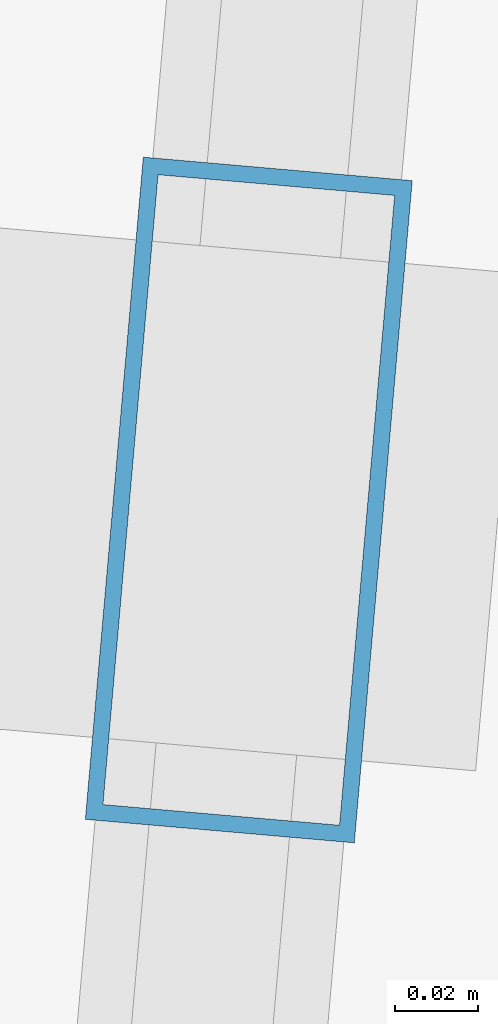
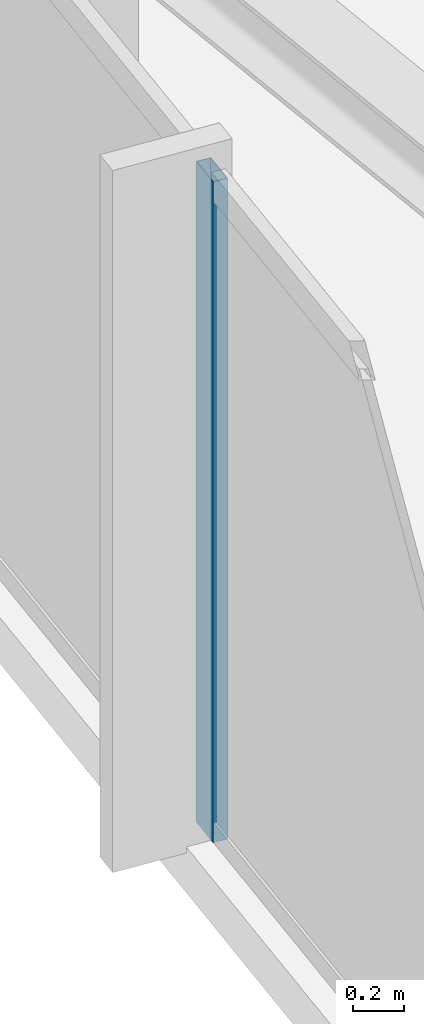
# One storey, part 5 of 33: 1 member, 1 element without a shape of its own.
"""IFC4 building model written with IfcOpenShell, lengths in metres."""

from ifc_helpers import new_model, si_unit, direction, frame, origin, origin_2d, place, context, subcontext, project, spatial, hollow_rectangle, extrude, material, material_profile, profile_set, type_object, element, aggregate, save


model = new_model("IFC4")

# Units and contexts
model_context = context("Model", 3, precision=1e-05, world=origin(), true_north=direction((0.0, 1.0)))
body_context = subcontext(model_context, "Body", "Model", "MODEL_VIEW")
ifc_project = project(units=[si_unit("LENGTHUNIT", "METRE"), si_unit("AREAUNIT", "SQUARE_METRE"), si_unit("VOLUMEUNIT", "CUBIC_METRE"), si_unit("PLANEANGLEUNIT", "RADIAN"), si_unit("MASSUNIT", "GRAM", prefix="KILO")], contexts=[model_context])

# Site, building, storey
site_placement = place(None, origin())
site = spatial("IfcSite", under=ifc_project, at=site_placement, CompositionType="ELEMENT")
building_placement = place(site_placement, origin())
building = spatial("IfcBuilding", under=site, at=building_placement, Name="Yelkora Congress Tower", CompositionType="ELEMENT")
storey_placement = place(building_placement, frame((0.0, 0.0, 282.89990234375)))
storey = spatial("IfcBuildingStorey", under=building, at=storey_placement, Name="L79", CompositionType="ELEMENT", Elevation=282.89990234375)

# Curtain wall, member
ifc_material_1 = material(Name="Anodised aluminium and insulated glass", Category="aluminium")
curtain_wall_type = type_object("IfcCurtainWallType", Name="CW-SYS-B5", PredefinedType="NOTDEFINED", material=ifc_material_1)
curtain_wall_placement = place(storey_placement, origin())
curtain_wall = element("IfcCurtainWall", 1, at=curtain_wall_placement, inside=storey, type_object=curtain_wall_type, Name="L79 Unitised Curtain Wall 5", PredefinedType="NOTDEFINED")
ifc_material_2 = material(Name="Anodised aluminium 6063-T6", Category="aluminium")
ifc_material_profile = material_profile(ifc_material_2, hollow_rectangle(XDim=0.06494140625, YDim=0.159912109375, WallThickness=0.00390625, at=origin_2d()), Name="ALU 65x160x4")
ifc_profile_set = profile_set([ifc_material_profile], Name="Anodised aluminium 6063-T6")
member_type = type_object("IfcMemberType", Name="MEM-ML-B5", PredefinedType="MULLION", material=ifc_profile_set)
member_placement = place(storey_placement, frame((6.313720703125, 28.49658203125, 0.0), z_axis=(0.0, 0.0, 1.0), x_axis=(-0.996194785929, 0.08715473876, 0.0)))
member = element("IfcMember", 2, at=member_placement, type_object=member_type, Name="CW-B5 mullion 2", PredefinedType="MULLION", context=body_context, shape_type="SweptSolid", body=[
    extrude(hollow_rectangle(XDim=0.06494140625, YDim=0.159912109375, WallThickness=0.00390625, at=origin_2d()), origin(), (0.0, 0.0, 1.0), 3.18017578125),
])
aggregate(curtain_wall, [member])

save(model, "model.ifc")
